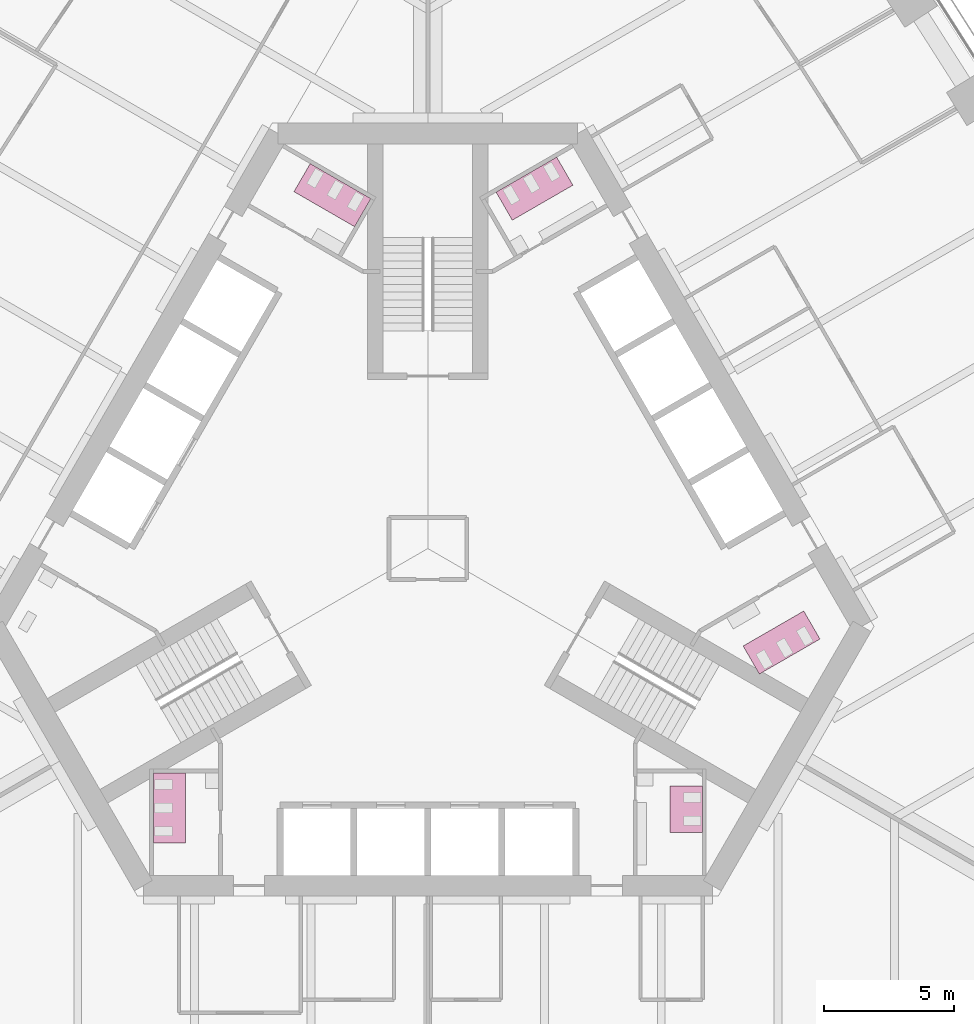
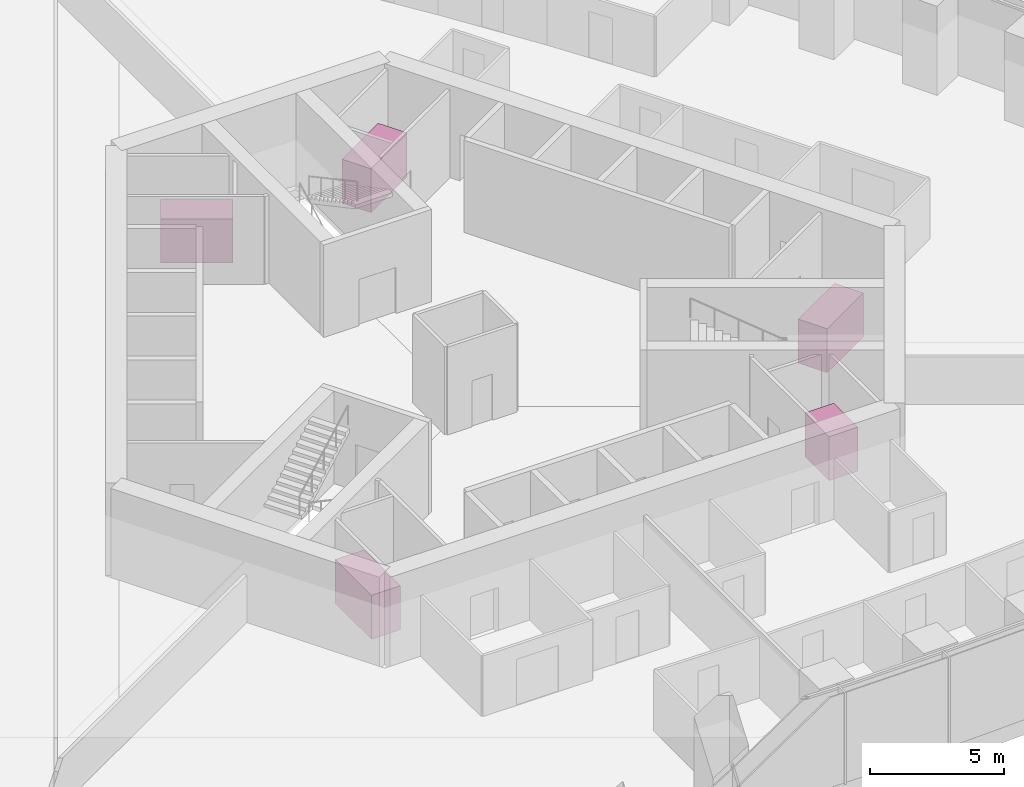
# One storey, part 18 of 18: 5 furniture elements.
"""IFC4 building model written with IfcOpenShell, lengths in metres."""

from ifc_helpers import new_model, si_unit, direction, frame, origin, place, context, subcontext, project, spatial, polyline, outline, extrude, material, type_object, element, save


model = new_model("IFC4")

# Units and contexts
model_context = context("Model", 3, precision=1e-05, world=origin(), true_north=direction((0.0, 1.0)))
body_context = subcontext(model_context, "Body", "Model", "MODEL_VIEW")
ifc_project = project(units=[si_unit("LENGTHUNIT", "METRE"), si_unit("AREAUNIT", "SQUARE_METRE"), si_unit("VOLUMEUNIT", "CUBIC_METRE"), si_unit("PLANEANGLEUNIT", "RADIAN"), si_unit("MASSUNIT", "GRAM", prefix="KILO")], contexts=[model_context])

# Site, building, storey
site_placement = place(None, origin())
site = spatial("IfcSite", under=ifc_project, at=site_placement, CompositionType="ELEMENT")
building_placement = place(site_placement, origin())
building = spatial("IfcBuilding", under=site, at=building_placement, Name="Trefoil Bronze Tower", CompositionType="ELEMENT")
storey_placement = place(building_placement, frame((0.0, 0.0, 24.89990234375)))
storey = spatial("IfcBuildingStorey", under=building, at=storey_placement, Name="L05", CompositionType="ELEMENT", Elevation=24.89990234375)

# Furniture
ifc_material_1 = material(Name="Compact laminate cubicles", Category="plastic")
furniture_type_1 = type_object("IfcFurnitureType", Name="WC cubicle range 2 cubicles", AssemblyPlace="FACTORY", PredefinedType="USERDEFINED", material=ifc_material_1)
furniture_1_placement = place(storey_placement, origin())
element("IfcFurniture", 1, at=furniture_1_placement, inside=storey, type_object=furniture_type_1, Name="WC cubicle range WC (men) L05", ObjectType="WC cubicle range", PredefinedType="USERDEFINED", context=body_context, shape_type="SweptSolid", body=[
    extrude(outline(polyline([(9.3349609375, -9.14990234375), (10.5849609375, -9.14990234375), (10.5849609375, -10.949951171875), (9.3349609375, -10.949951171875), (9.3349609375, -9.14990234375)])), origin(), (0.0, 0.0, 1.0), 2.0),
])
ifc_material_2 = material(Name="Compact laminate cubicles", Category="plastic")
furniture_type_2 = type_object("IfcFurnitureType", Name="WC cubicle range 3 cubicles", AssemblyPlace="FACTORY", PredefinedType="USERDEFINED", material=ifc_material_2)
furniture_2_placement = place(storey_placement, origin())
element("IfcFurniture", 2, at=furniture_2_placement, inside=storey, type_object=furniture_type_2, Name="WC cubicle range WC (women) L05", ObjectType="WC cubicle range", PredefinedType="USERDEFINED", context=body_context, shape_type="SweptSolid", body=[
    extrude(outline(polyline([(12.15869140625, -3.75927734375), (12.78369140625, -4.841796875), (15.121826171875, -3.491943359375), (14.496826171875, -2.409423828125), (12.15869140625, -3.75927734375)])), origin(), (0.0, 0.0, 1.0), 2.0),
])
furniture_3_placement = place(storey_placement, origin())
element("IfcFurniture", 3, at=furniture_3_placement, inside=storey, type_object=furniture_type_2, Name="WC cubicle range WC (men) L05", ObjectType="WC cubicle range", PredefinedType="USERDEFINED", context=body_context, shape_type="SweptSolid", body=[
    extrude(outline(polyline([(3.256591796875, 12.659423828125), (2.631591796875, 13.741943359375), (4.969970703125, 15.091796875), (5.594970703125, 14.00927734375), (3.256591796875, 12.659423828125)])), origin(), (0.0, 0.0, 1.0), 2.0),
])
furniture_4_placement = place(storey_placement, origin())
element("IfcFurniture", 4, at=furniture_4_placement, inside=storey, type_object=furniture_type_2, Name="WC cubicle range WC (women) L05", ObjectType="WC cubicle range", PredefinedType="USERDEFINED", context=body_context, shape_type="SweptSolid", body=[
    extrude(outline(polyline([(-2.82373046875, 12.409423828125), (-2.19873046875, 13.491943359375), (-4.536865234375, 14.841796875), (-5.161865234375, 13.75927734375), (-2.82373046875, 12.409423828125)])), origin(), (0.0, 0.0, 1.0), 2.0),
])
furniture_5_placement = place(storey_placement, origin())
element("IfcFurniture", 5, at=furniture_5_placement, inside=storey, type_object=furniture_type_2, Name="WC cubicle range WC (women) L05", ObjectType="WC cubicle range", PredefinedType="USERDEFINED", context=body_context, shape_type="SweptSolid", body=[
    extrude(outline(polyline([(-9.3349609375, -8.64990234375), (-10.5849609375, -8.64990234375), (-10.5849609375, -11.35009765625), (-9.3349609375, -11.35009765625), (-9.3349609375, -8.64990234375)])), origin(), (0.0, 0.0, 1.0), 2.0),
])

save(model, "model.ifc")
